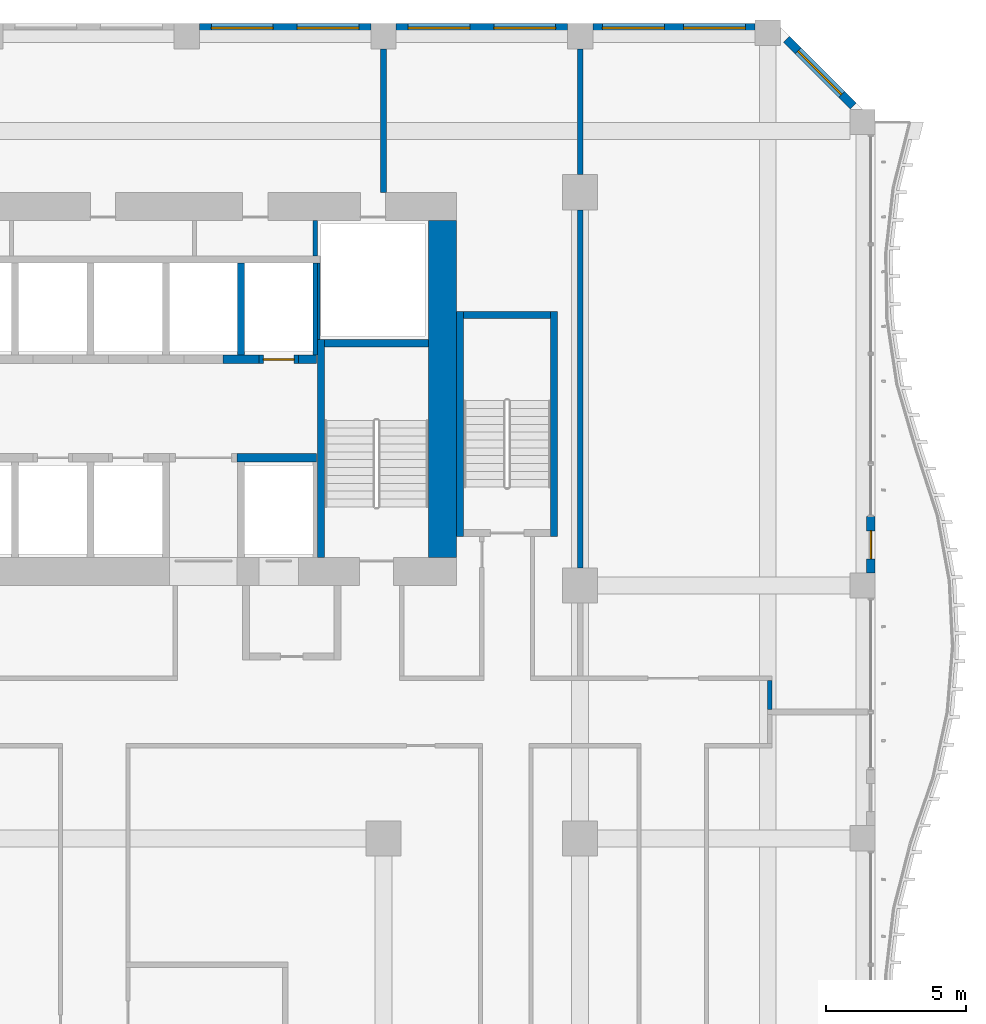
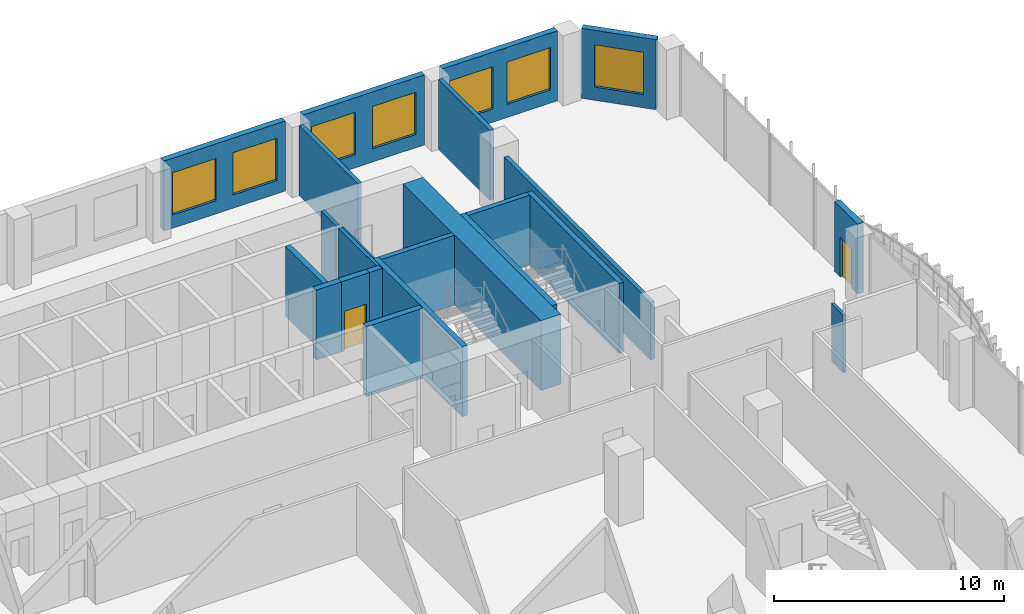
# One storey, part 18 of 28: 23 walls, 7 windows, 2 doors, 9 openings.
"""IFC4 building model written with IfcOpenShell, lengths in metres."""

import ifcopenshell
import ifcopenshell.guid

model = None  # the IFC model being written
_history = None  # IfcOwnerHistory: only IFC2X3 demands one
_inside = {}  # id of a spatial element -> (the spatial element, [elements in it])
_under = {}  # id of a project, library or spatial element -> (it, [spatial elements below it])
_declared = {}  # id of a project -> (the project, [libraries it declares])
_typed = {}  # id of a type object -> (the type object, [elements of that type])
_made_of = {}  # id of a material, layer set ... -> (it, [elements and type objects made of it])


def new_model(schema):
    """Start an empty IFC model of exactly this schema.

    Asked for "IFC4X3", IfcOpenShell would pick the latest addendum, in which some entities
    have other attributes; the version numbers below select the first issue.
    IFC2X3 requires an IfcOwnerHistory on every rooted entity: one is made here for all.
    """
    global model, _history
    if schema == "IFC4X3":
        model = ifcopenshell.file(schema_version=(4, 3, 0, 0))
    else:
        model = ifcopenshell.file(schema=schema)
    _inside.clear()
    _under.clear()
    _declared.clear()
    _typed.clear()
    _made_of.clear()
    _history = None
    if model.schema == "IFC2X3":
        org = make("IfcOrganization", Name="unknown")
        user = make(
            "IfcPersonAndOrganization",
            ThePerson=make("IfcPerson", FamilyName="unknown"),
            TheOrganization=org,
        )
        app = make(
            "IfcApplication",
            ApplicationDeveloper=org,
            Version="unknown",
            ApplicationFullName="unknown",
            ApplicationIdentifier="unknown",
        )
        _history = make(
            "IfcOwnerHistory",
            OwningUser=user,
            OwningApplication=app,
            ChangeAction="ADDED",
            CreationDate=0,
        )
    return model


def make(cls, **values):
    """One entity of the class cls with the attributes given. An attribute that is None is left unset."""
    return model.create_entity(
        cls, **{name: value for name, value in values.items() if value is not None}
    )


def rooted(cls, **values):
    """An entity with a GlobalId (a new one), such as an element, a storey or a relation."""
    return make(cls, GlobalId=ifcopenshell.guid.new(), OwnerHistory=_history, **values)


def si_unit(unit_type, name, prefix=None):
    """IfcSIUnit, for example si_unit("LENGTHUNIT", "METRE", prefix="MILLI")."""
    return make("IfcSIUnit", UnitType=unit_type, Prefix=prefix, Name=name)


def assignment(units):
    """IfcUnitAssignment: the units of a project."""
    return None if units is None else make("IfcUnitAssignment", Units=units)


def point(xyz):
    """IfcCartesianPoint."""
    return None if xyz is None else make("IfcCartesianPoint", Coordinates=xyz)


def direction(xyz):
    """IfcDirection."""
    return None if xyz is None else make("IfcDirection", DirectionRatios=xyz)


def frame(location, z_axis=None, x_axis=None):
    """IfcAxis2Placement3D, a coordinate frame: its origin and axes. An axis left out is left unset."""
    return make(
        "IfcAxis2Placement3D",
        Location=point(location),
        Axis=direction(z_axis),
        RefDirection=direction(x_axis),
    )


def frame_2d(location, x_axis=None):
    """IfcAxis2Placement2D, a coordinate frame in the plane: its origin and x axis."""
    return make(
        "IfcAxis2Placement2D", Location=point(location), RefDirection=direction(x_axis)
    )


def origin():
    """The frame at (0, 0, 0) with its axes left unset."""
    return frame((0.0, 0.0, 0.0))


def place(relative_to, where):
    """IfcLocalPlacement: puts the frame where relative to a parent placement (None: the world)."""
    return make(
        "IfcLocalPlacement", PlacementRelTo=relative_to, RelativePlacement=where
    )


def context(
    kind, dimensions, precision=None, world=None, true_north=None, identifier=None
):
    """IfcGeometricRepresentationContext, for example the 3D "Model" context."""
    return make(
        "IfcGeometricRepresentationContext",
        ContextIdentifier=identifier,
        ContextType=kind,
        CoordinateSpaceDimension=dimensions,
        Precision=precision,
        WorldCoordinateSystem=world,
        TrueNorth=true_north,
    )


def subcontext(parent, identifier, kind, view, scale=None):
    """IfcGeometricRepresentationSubContext, for example "Body" below "Model"."""
    return make(
        "IfcGeometricRepresentationSubContext",
        ContextIdentifier=identifier,
        ContextType=kind,
        ParentContext=parent,
        TargetScale=scale,
        TargetView=view,
    )


def project(units=None, contexts=None):
    """IfcProject with its units and contexts."""
    return rooted(
        "IfcProject",
        Name="project",
        RepresentationContexts=contexts,
        UnitsInContext=assignment(units),
    )


def spatial(cls, under=None, at=None, **own):
    """A site, building, storey or space (cls), placed at a placement, below another one or the project."""
    s = rooted(cls, ObjectPlacement=at, **own)
    if under is not None:
        _under.setdefault(under.id(), (under, []))[1].append(s)
    return s


def profile(cls, at=None, kind="AREA", **sizes):
    """A parametric profile (cls). Its sizes go by their IFC names, for example OverallWidth=200.0."""
    return make(cls, ProfileType=kind, Position=at, **sizes)


def rectangle(**sizes):
    """IfcRectangleProfileDef."""
    return profile("IfcRectangleProfileDef", **sizes)


def extrude(swept, where, along, depth):
    """IfcExtrudedAreaSolid: the profile swept, set in the frame where, extruded along a direction by depth."""
    return make(
        "IfcExtrudedAreaSolid",
        SweptArea=swept,
        Position=where,
        ExtrudedDirection=direction(along),
        Depth=depth,
    )


def shape(context_of_items, identifier, shape_type, items):
    """IfcShapeRepresentation: the items that make up one representation, for example the "Body"."""
    return make(
        "IfcShapeRepresentation",
        ContextOfItems=context_of_items,
        RepresentationIdentifier=identifier,
        RepresentationType=shape_type,
        Items=items,
    )


def source(mapping_origin, context_of_items, identifier, shape_type, items):
    """IfcRepresentationMap: a shape defined once, which mapped items show again and again."""
    return make(
        "IfcRepresentationMap",
        MappingOrigin=mapping_origin,
        MappedRepresentation=shape(context_of_items, identifier, shape_type, items),
    )


def transform(
    local_origin,
    x_axis=None,
    y_axis=None,
    z_axis=None,
    scale=None,
    scale2=None,
    scale3=None,
    uniform=True,
):
    """IfcCartesianTransformationOperator3D, or its non-uniform kind. x_axis, y_axis, z_axis: its Axis1, 2, 3."""
    if uniform:
        return make(
            "IfcCartesianTransformationOperator3D",
            Axis1=direction(x_axis),
            Axis2=direction(y_axis),
            LocalOrigin=point(local_origin),
            Scale=scale,
            Axis3=direction(z_axis),
        )
    return make(
        "IfcCartesianTransformationOperator3DnonUniform",
        Axis1=direction(x_axis),
        Axis2=direction(y_axis),
        LocalOrigin=point(local_origin),
        Scale=scale,
        Axis3=direction(z_axis),
        Scale2=scale2,
        Scale3=scale3,
    )


def mapped(mapping_source, mapping_target):
    """IfcMappedItem: shows the shape of a source again, moved by a transform."""
    return make(
        "IfcMappedItem", MappingSource=mapping_source, MappingTarget=mapping_target
    )


def material(Name=None, Category=None):
    """IfcMaterial."""
    return make("IfcMaterial", Name=Name, Category=Category)


def layer(
    of_material, thickness, ventilated=None, Name=None, Category=None, Priority=None
):
    """IfcMaterialLayer: one layer of a wall or slab, of a material (None: an air gap)."""
    return make(
        "IfcMaterialLayer",
        Material=of_material,
        LayerThickness=thickness,
        IsVentilated=ventilated,
        Name=Name,
        Category=Category,
        Priority=Priority,
    )


def layer_set(layers, Name=None):
    """IfcMaterialLayerSet."""
    return make("IfcMaterialLayerSet", MaterialLayers=layers, LayerSetName=Name)


def made_of(thing, what):
    """Note that an element or type object is made of a material, layer set ...; save() writes the relation."""
    if what is not None:
        _made_of.setdefault(what.id(), (what, []))[1].append(thing)
    return thing


def type_object(cls, material=None, **own):
    """A type object (cls), such as IfcWallType, which elements share."""
    return made_of(rooted(cls, **own), material)


def element(
    cls,
    number,
    at=None,
    inside=None,
    cuts=None,
    type_object=None,
    material=None,
    context=None,
    identifier="Body",
    shape_type=None,
    held_by="IfcProductDefinitionShape",
    body=None,
    shapes=None,
    **own,
):
    """One element of the class cls, such as IfcWall. Its Tag is "e" and its number.

    at: its placement. inside: the storey or other place that contains it. cuts: it is an
    opening in that element (IfcRelVoidsElement). A single representation is given by context,
    identifier, shape_type and body (its items); several are given by shapes. held_by: the class
    of the entity that holds the representations. save() writes the other relations.
    """
    e = rooted(cls, Tag="e%d" % number, ObjectPlacement=at, **own)
    if body is not None:
        shapes = [shape(context, identifier, shape_type, body)]
    if shapes is not None:
        e.Representation = make(held_by, Representations=shapes)
    if inside is not None:
        _inside.setdefault(inside.id(), (inside, []))[1].append(e)
    if cuts is not None:
        rooted(
            "IfcRelVoidsElement", RelatingBuildingElement=cuts, RelatedOpeningElement=e
        )
    if type_object is not None:
        _typed.setdefault(type_object.id(), (type_object, []))[1].append(e)
    return made_of(e, material)


def fill(opening, filler):
    """IfcRelFillsElement: the door or window that sits in an opening."""
    return rooted(
        "IfcRelFillsElement",
        RelatingOpeningElement=opening,
        RelatedBuildingElement=filler,
    )


def aggregate(whole, parts):
    """IfcRelAggregates: a whole, such as a stair, and the parts it consists of."""
    return rooted("IfcRelAggregates", RelatingObject=whole, RelatedObjects=parts)


def save(model, path):
    """Write the relations noted so far, then the file.

    IfcRelAggregates (storeys below a building ...), IfcRelContainedInSpatialStructure (elements
    in a storey), IfcRelDefinesByType, IfcRelAssociatesMaterial and IfcRelDeclares: one each for
    every whole, place, type object, material and project.
    """
    for whole, parts in _under.values():
        aggregate(whole, parts)
    for where, things in _inside.values():
        rooted(
            "IfcRelContainedInSpatialStructure",
            RelatedElements=things,
            RelatingStructure=where,
        )
    for kind, things in _typed.values():
        rooted("IfcRelDefinesByType", RelatedObjects=things, RelatingType=kind)
    for what, things in _made_of.values():
        rooted("IfcRelAssociatesMaterial", RelatedObjects=things, RelatingMaterial=what)
    for by, libraries in _declared.values():
        rooted("IfcRelDeclares", RelatingContext=by, RelatedDefinitions=libraries)
    model.write(path)


model = new_model("IFC4")

# Units and contexts
model_context = context("Model", 3, precision=1e-05, world=origin(), true_north=direction((0.0, 1.0)))
body_context = subcontext(model_context, "Body", "Model", "MODEL_VIEW")
ifc_project = project(units=[si_unit("LENGTHUNIT", "METRE"), si_unit("AREAUNIT", "SQUARE_METRE"), si_unit("VOLUMEUNIT", "CUBIC_METRE"), si_unit("PLANEANGLEUNIT", "RADIAN"), si_unit("MASSUNIT", "GRAM", prefix="KILO")], contexts=[model_context])

# Site, building, storey
site_placement = place(None, origin())
site = spatial("IfcSite", under=ifc_project, at=site_placement, CompositionType="ELEMENT")
building_placement = place(site_placement, origin())
building = spatial("IfcBuilding", under=site, at=building_placement, Name="Kilnfold Tower and Market Hall", CompositionType="ELEMENT")
storey_placement = place(building_placement, frame((0.0, 0.0, 75.199951171875)))
storey = spatial("IfcBuildingStorey", under=building, at=storey_placement, Name="L17", CompositionType="ELEMENT", Elevation=75.199951171875)

# Walls
ifc_material_1 = material(Name="Gypsum board on steel studs", Category="steel")
ifc_layer_1 = layer(ifc_material_1, 0.14990234375)
ifc_layer_set_1 = layer_set([ifc_layer_1], Name="Gypsum board on steel studs")
wall_type_1 = type_object("IfcWallType", Name="WALL CORRIDOR 150", PredefinedType="PARTITIONING", material=ifc_layer_set_1)
wall_1_placement = place(storey_placement, frame((29.25, 3.590087890625, 0.0), z_axis=(0.0, 0.0, 1.0), x_axis=(0.0, 1.0, 0.0)))
element("IfcWall", 1, at=wall_1_placement, inside=storey, type_object=wall_type_1, Name="Partition LY13.30", PredefinedType="PARTITIONING", context=body_context, shape_type="SweptSolid", body=[
    extrude(rectangle(XDim=1.034912109375, YDim=0.14990234375, at=frame_2d((0.517578125, 0.0))), origin(), (0.0, 0.0, 1.0), 3.070068359375),
])
ifc_material_2 = material(Name="Gypsum board on steel studs", Category="steel")
ifc_layer_2 = layer(ifc_material_2, 0.199951171875)
ifc_layer_set_2 = layer_set([ifc_layer_2], Name="Gypsum board on steel studs")
wall_type_2 = type_object("IfcWallType", Name="WALL PARTY 200", PredefinedType="PARTITIONING", material=ifc_layer_set_2)
wall_2_placement = place(storey_placement, frame((15.5, 22.0, 0.0), z_axis=(0.0, 0.0, 1.0), x_axis=(0.0, 1.0, 0.0)))
element("IfcWall", 2, at=wall_2_placement, inside=storey, type_object=wall_type_2, Name="Partition LY13.42", PredefinedType="PARTITIONING", context=body_context, shape_type="SweptSolid", body=[
    extrude(rectangle(XDim=5.10009765625, YDim=0.199951171875, at=frame_2d((2.550048828125, 0.0))), origin(), (0.0, 0.0, 1.0), 3.719970703125),
])
wall_3_placement = place(storey_placement, frame((22.5, 22.625, 0.0), z_axis=(0.0, 0.0, 1.0), x_axis=(0.0, 1.0, 0.0)))
element("IfcWall", 3, at=wall_3_placement, inside=storey, type_object=wall_type_2, Name="Partition LY13.57", PredefinedType="PARTITIONING", context=body_context, shape_type="SweptSolid", body=[
    extrude(rectangle(XDim=4.47509765625, YDim=0.199951171875, at=frame_2d((2.237548828125, 0.0))), origin(), (0.0, 0.0, 1.0), 3.719970703125),
])
wall_4_placement = place(storey_placement, frame((22.5, 8.625, 0.0), z_axis=(0.0, 0.0, 1.0), x_axis=(0.0, 1.0, 0.0)))
element("IfcWall", 4, at=wall_4_placement, inside=storey, type_object=wall_type_2, Name="Partition LY13.58", PredefinedType="PARTITIONING", context=body_context, shape_type="SweptSolid", body=[
    extrude(rectangle(XDim=12.75, YDim=0.199951171875, at=frame_2d((6.375, 0.0))), origin(), (0.0, 0.0, 1.0), 3.070068359375),
])
ifc_material_3 = material(Name="Concrete C80", Category="concrete")
ifc_layer_3 = layer(ifc_material_3, 1.0)
ifc_layer_set_3 = layer_set([ifc_layer_3], Name="Concrete C80")
wall_type_3 = type_object("IfcWallType", Name="CORE WALL 1000 C80", PredefinedType="SHEAR", material=ifc_layer_set_3)
shared_shape_1 = source(origin(), body_context, "Body", "SweptSolid", [
    extrude(rectangle(XDim=12.0, YDim=1.0, at=frame_2d((6.0, 0.0))), origin(), (0.0, 0.0, 1.0), 3.719970703125),
])
wall_5_placement = place(storey_placement, frame((17.60009765625, 9.0, 0.0), z_axis=(0.0, 0.0, 1.0), x_axis=(0.0, 1.0, 0.0)))
element("IfcWall", 5, at=wall_5_placement, inside=storey, type_object=wall_type_3, Name="Core outer wall east", PredefinedType="SHEAR", context=body_context, shape_type="MappedRepresentation", body=[
    mapped(shared_shape_1, transform((0.0, 0.0, 0.0))),
])
ifc_material_4 = material(Name="Concrete C80", Category="concrete")
ifc_layer_4 = layer(ifc_material_4, 0.25)
ifc_layer_set_4 = layer_set([ifc_layer_4], Name="Concrete C80")
wall_type_4 = type_object("IfcWallType", Name="CORE WALL 250 C80", PredefinedType="SHEAR", material=ifc_layer_set_4)
shared_shape_2 = source(origin(), body_context, "Body", "SweptSolid", [
    extrude(rectangle(XDim=7.75, YDim=0.25, at=frame_2d((3.875, 0.0))), origin(), (0.0, 0.0, 1.0), 3.719970703125),
])
wall_6_placement = place(storey_placement, frame((13.27490234375, 9.0, 0.0), z_axis=(0.0, 0.0, 1.0), x_axis=(0.0, 1.0, 0.0)))
element("IfcWall", 6, at=wall_6_placement, inside=storey, type_object=wall_type_4, Name="Stair enclosure ST2", PredefinedType="SHEAR", context=body_context, shape_type="MappedRepresentation", body=[
    mapped(shared_shape_2, transform((0.0, 0.0, 0.0))),
])
shared_shape_3 = source(origin(), body_context, "Body", "SweptSolid", [
    extrude(rectangle(XDim=3.7001953125, YDim=0.25, at=frame_2d((1.85009765625, 0.0))), origin(), (0.0, 0.0, 1.0), 3.719970703125),
])
wall_7_placement = place(storey_placement, frame((13.39990234375, 16.625, 0.0), z_axis=(0.0, 0.0, 1.0), x_axis=(1.0, 0.0, 0.0)))
element("IfcWall", 7, at=wall_7_placement, inside=storey, type_object=wall_type_4, Name="Stair enclosure ST2", PredefinedType="SHEAR", context=body_context, shape_type="MappedRepresentation", body=[
    mapped(shared_shape_3, transform((0.0, 0.0, 0.0))),
])
shared_shape_4 = source(origin(), body_context, "Body", "SweptSolid", [
    extrude(rectangle(XDim=8.0, YDim=0.25, at=frame_2d((4.0, 0.0))), origin(), (0.0, 0.0, 1.0), 3.719970703125),
])
for number, where, z_axis, x_axis, name in (
    (8, (18.22509765625, 9.75, 0.0), (0.0, 0.0, 1.0), (0.0, 1.0, 0.0), "Stair enclosure ST5"),
    (9, (21.574951171875, 9.75, 0.0), (0.0, 0.0, 1.0), (0.0, 1.0, 0.0), "Stair enclosure ST5"),
):
    element("IfcWall", number, at=place(storey_placement, frame(where, z_axis=z_axis, x_axis=x_axis)), inside=storey, type_object=wall_type_4, Name=name, PredefinedType="SHEAR", context=body_context, shape_type="MappedRepresentation", body=[
        mapped(shared_shape_4, transform((0.0, 0.0, 0.0))),
    ])
shared_shape_5 = source(origin(), body_context, "Body", "SweptSolid", [
    extrude(rectangle(XDim=3.099853515625, YDim=0.25, at=frame_2d((1.5498046875, 0.0))), origin(), (0.0, 0.0, 1.0), 3.719970703125),
])
wall_8_placement = place(storey_placement, frame((18.35009765625, 17.625, 0.0), z_axis=(0.0, 0.0, 1.0), x_axis=(1.0, 0.0, 0.0)))
element("IfcWall", 10, at=wall_8_placement, inside=storey, type_object=wall_type_4, Name="Stair enclosure ST5", PredefinedType="SHEAR", context=body_context, shape_type="MappedRepresentation", body=[
    mapped(shared_shape_5, transform((0.0, 0.0, 0.0))),
])
ifc_material_5 = material(Name="Concrete C80", Category="concrete")
ifc_layer_5 = layer(ifc_material_5, 0.300048828125)
ifc_layer_set_5 = layer_set([ifc_layer_5], Name="Concrete C80")
wall_type_5 = type_object("IfcWallType", Name="CORE WALL 300 C80", PredefinedType="SHEAR", material=ifc_layer_set_5)
shared_shape_6 = source(origin(), body_context, "Body", "SweptSolid", [
    extrude(rectangle(XDim=1.280029296875, YDim=0.300048828125, at=frame_2d((0.64013671875, 0.0))), origin(), (0.0, 0.0, 1.0), 3.719970703125),
])
wall_9_placement = place(storey_placement, frame((9.7900390625, 16.050048828125, 0.0), z_axis=(0.0, 0.0, 1.0), x_axis=(1.0, 0.0, 0.0)))
element("IfcWall", 11, at=wall_9_placement, inside=storey, type_object=wall_type_5, Name="Core spine wall", PredefinedType="SHEAR", context=body_context, shape_type="MappedRepresentation", body=[
    mapped(shared_shape_6, transform((0.0, 0.0, 0.0))),
])
shared_shape_7 = source(origin(), body_context, "Body", "SweptSolid", [
    extrude(rectangle(XDim=2.820068359375, YDim=0.300048828125, at=frame_2d((1.41015625, 0.0))), origin(), (0.0, 0.0, 1.0), 3.719970703125),
])
wall_10_placement = place(storey_placement, frame((10.2900390625, 12.550048828125, 0.0), z_axis=(0.0, 0.0, 1.0), x_axis=(1.0, 0.0, 0.0)))
element("IfcWall", 12, at=wall_10_placement, inside=storey, type_object=wall_type_5, Name="Core spine wall", PredefinedType="SHEAR", context=body_context, shape_type="MappedRepresentation", body=[
    mapped(shared_shape_7, transform((0.0, 0.0, 0.0))),
])
shared_shape_8 = source(origin(), body_context, "Body", "SweptSolid", [
    extrude(rectangle(XDim=0.64013671875, YDim=0.300048828125, at=frame_2d((0.320068359375, 0.0))), origin(), (0.0, 0.0, 1.0), 3.719970703125),
])
wall_11_placement = place(storey_placement, frame((12.469970703125, 16.050048828125, 0.0), z_axis=(0.0, 0.0, 1.0), x_axis=(1.0, 0.0, 0.0)))
element("IfcWall", 13, at=wall_11_placement, inside=storey, type_object=wall_type_5, Name="Core spine wall", PredefinedType="SHEAR", context=body_context, shape_type="MappedRepresentation", body=[
    mapped(shared_shape_8, transform((0.0, 0.0, 0.0))),
])

# Wall, opening, door
ifc_material_6 = material(Name="Precast concrete C50/60", Category="concrete")
ifc_layer_6 = layer(ifc_material_6, 0.300048828125)
ifc_layer_set_6 = layer_set([ifc_layer_6], Name="Precast concrete C50/60")
wall_type_6 = type_object("IfcWallType", Name="PRECAST WALL 300", PredefinedType="SOLIDWALL", material=ifc_layer_set_6)
shared_shape_9 = source(origin(), body_context, "Body", "SweptSolid", [
    extrude(rectangle(XDim=2.0, YDim=0.300048828125, at=frame_2d((1.0, 0.0))), origin(), (0.0, 0.0, 1.0), 3.719970703125),
])
wall_12_placement = place(storey_placement, frame((32.85009765625, 8.449951171875, 0.0), z_axis=(0.0, 0.0, 1.0), x_axis=(0.0, 1.0, 0.0)))
wall_12 = element("IfcWall", 14, at=wall_12_placement, inside=storey, type_object=wall_type_6, Name="External wall L17 E", PredefinedType="SOLIDWALL", context=body_context, shape_type="MappedRepresentation", body=[
    mapped(shared_shape_9, transform((0.0, 0.0, 0.0))),
])
opening_1_placement = place(wall_12_placement, frame((0.5, 0.0, 0.0)))
opening_1 = element("IfcOpeningElement", 15, at=opening_1_placement, cuts=wall_12, Name="Opening BD1", PredefinedType="OPENING", context=body_context, shape_type="SweptSolid", body=[
    extrude(rectangle(XDim=1.0, YDim=2.10009765625, at=frame_2d((0.5, 1.050048828125))), frame((0.0, 0.16015625, 0.0), z_axis=(0.0, -1.0, 0.0), x_axis=(1.0, 0.0, 0.0)), (0.0, 0.0, 1.0), 0.320068359375),
])
ifc_material_7 = material(Name="Aluminium frame and double glazing", Category="aluminium")
door_type_1 = type_object("IfcDoorType", Name="BALCONY DOOR 1000X2100", OperationType="NOTDEFINED", PredefinedType="DOOR", material=ifc_material_7)
door_1_placement = place(opening_1_placement, origin())
door_1 = element("IfcDoor", 16, at=door_1_placement, inside=storey, type_object=door_type_1, Name="Balcony door BD1 L17 E-1", OperationType="SINGLE_SWING_LEFT", OverallHeight=2.10009765625, OverallWidth=1.0, PredefinedType="DOOR", context=body_context, shape_type="SweptSolid", body=[
    extrude(rectangle(XDim=1.0, YDim=2.10009765625, at=frame_2d((0.5, 1.050048828125))), frame((0.0, 0.02490234375, 0.0), z_axis=(0.0, -1.0, 0.0), x_axis=(1.0, 0.0, 0.0)), (0.0, 0.0, 1.0), 0.050048828125),
])
fill(opening_1, door_1)

# Wall, opening, window
shared_shape_10 = source(origin(), body_context, "Body", "SweptSolid", [
    extrude(rectangle(XDim=3.35888671875, YDim=0.300048828125, at=frame_2d((1.679443359375, 0.0))), origin(), (0.0, 0.0, 1.0), 3.719970703125),
])
wall_13_placement = place(storey_placement, frame((32.218994140625, 25.06884765625, 0.0), z_axis=(0.0, 0.0, 1.0), x_axis=(-0.707070438228, 0.707143122278, 0.0)))
wall_13 = element("IfcWall", 17, at=wall_13_placement, inside=storey, type_object=wall_type_6, Name="External wall L17 NE", PredefinedType="SOLIDWALL", context=body_context, shape_type="MappedRepresentation", body=[
    mapped(shared_shape_10, transform((0.0, 0.0, 0.0))),
])
opening_2_placement = place(wall_13_placement, frame((0.579345703125, 0.0, 0.699951171875)))
opening_2 = element("IfcOpeningElement", 18, at=opening_2_placement, cuts=wall_13, Name="Opening W1", PredefinedType="OPENING", context=body_context, shape_type="SweptSolid", body=[
    extrude(rectangle(XDim=2.199951171875, YDim=2.25, at=frame_2d((1.10009765625, 1.125))), frame((0.0, 0.16015625, 0.0), z_axis=(0.0, -1.0, 0.0), x_axis=(1.0, 0.0, 0.0)), (0.0, 0.0, 1.0), 0.320068359375),
])
ifc_material_8 = material(Name="Aluminium frame and double glazing", Category="aluminium")
window_type = type_object("IfcWindowType", Name="WINDOW W1 2200X2250", PartitioningType="SINGLE_PANEL", PredefinedType="WINDOW", material=ifc_material_8)
window_1_placement = place(opening_2_placement, origin())
window_1 = element("IfcWindow", 19, at=window_1_placement, inside=storey, type_object=window_type, Name="Window W1 L17 NE-1", OverallHeight=2.25, OverallWidth=2.199951171875, PartitioningType="SINGLE_PANEL", PredefinedType="WINDOW", context=body_context, shape_type="SweptSolid", body=[
    extrude(rectangle(XDim=2.199951171875, YDim=2.25, at=frame_2d((1.10009765625, 1.125))), frame((0.0, 0.030029296875, 0.0), z_axis=(0.0, -1.0, 0.0), x_axis=(1.0, 0.0, 0.0)), (0.0, 0.0, 1.0), 0.06005859375),
])
fill(opening_2, window_1)

# Wall, openings, windows
shared_shape_11 = source(origin(), body_context, "Body", "SweptSolid", [
    extrude(rectangle(XDim=5.78173828125, YDim=0.300048828125, at=frame_2d((2.890869140625, 0.0))), origin(), (0.0, 0.0, 1.0), 3.719970703125),
])
wall_14_placement = place(storey_placement, frame((28.731689453125, 27.85009765625, 0.0), z_axis=(0.0, 0.0, 1.0), x_axis=(-1.0, 0.0, 0.0)))
wall_14 = element("IfcWall", 20, at=wall_14_placement, inside=storey, type_object=wall_type_6, Name="External wall L17 N", PredefinedType="SOLIDWALL", context=body_context, shape_type="MappedRepresentation", body=[
    mapped(shared_shape_11, transform((0.0, 0.0, 0.0))),
])
opening_3_placement = place(wall_14_placement, frame((0.345458984375, 0.0, 0.699951171875)))
opening_3 = element("IfcOpeningElement", 21, at=opening_3_placement, cuts=wall_14, Name="Opening W1", PredefinedType="OPENING", context=body_context, shape_type="SweptSolid", body=[
    extrude(rectangle(XDim=2.199951171875, YDim=2.25, at=frame_2d((1.10009765625, 1.125))), frame((0.0, 0.16015625, 0.0), z_axis=(0.0, -1.0, 0.0), x_axis=(1.0, 0.0, 0.0)), (0.0, 0.0, 1.0), 0.320068359375),
])
opening_4_placement = place(wall_14_placement, frame((3.236328125, 0.0, 0.699951171875)))
opening_4 = element("IfcOpeningElement", 22, at=opening_4_placement, cuts=wall_14, Name="Opening W1", PredefinedType="OPENING", context=body_context, shape_type="SweptSolid", body=[
    extrude(rectangle(XDim=2.199951171875, YDim=2.25, at=frame_2d((1.10009765625, 1.125))), frame((0.0, 0.16015625, 0.0), z_axis=(0.0, -1.0, 0.0), x_axis=(1.0, 0.0, 0.0)), (0.0, 0.0, 1.0), 0.320068359375),
])
window_2_placement = place(opening_3_placement, origin())
window_2 = element("IfcWindow", 23, at=window_2_placement, inside=storey, type_object=window_type, Name="Window W1 L17 N-1", OverallHeight=2.25, OverallWidth=2.199951171875, PartitioningType="SINGLE_PANEL", PredefinedType="WINDOW", context=body_context, shape_type="SweptSolid", body=[
    extrude(rectangle(XDim=2.199951171875, YDim=2.25, at=frame_2d((1.10009765625, 1.125))), frame((0.0, 0.030029296875, 0.0), z_axis=(0.0, -1.0, 0.0), x_axis=(1.0, 0.0, 0.0)), (0.0, 0.0, 1.0), 0.06005859375),
])
fill(opening_3, window_2)
window_3_placement = place(opening_4_placement, origin())
window_3 = element("IfcWindow", 24, at=window_3_placement, inside=storey, type_object=window_type, Name="Window W1 L17 N-2", OverallHeight=2.25, OverallWidth=2.199951171875, PartitioningType="SINGLE_PANEL", PredefinedType="WINDOW", context=body_context, shape_type="SweptSolid", body=[
    extrude(rectangle(XDim=2.199951171875, YDim=2.25, at=frame_2d((1.10009765625, 1.125))), frame((0.0, 0.030029296875, 0.0), z_axis=(0.0, -1.0, 0.0), x_axis=(1.0, 0.0, 0.0)), (0.0, 0.0, 1.0), 0.06005859375),
])
fill(opening_4, window_3)

shared_shape_12 = source(origin(), body_context, "Body", "SweptSolid", [
    extrude(rectangle(XDim=6.10009765625, YDim=0.300048828125, at=frame_2d((3.050048828125, 0.0))), origin(), (0.0, 0.0, 1.0), 3.719970703125),
])
wall_15_placement = place(storey_placement, frame((22.050048828125, 27.85009765625, 0.0), z_axis=(0.0, 0.0, 1.0), x_axis=(-1.0, 0.0, 0.0)))
wall_15 = element("IfcWall", 25, at=wall_15_placement, inside=storey, type_object=wall_type_6, Name="External wall L17 N", PredefinedType="SOLIDWALL", context=body_context, shape_type="MappedRepresentation", body=[
    mapped(shared_shape_12, transform((0.0, 0.0, 0.0))),
])
opening_5_placement = place(wall_15_placement, frame((0.425048828125, 0.0, 0.699951171875)))
opening_5 = element("IfcOpeningElement", 26, at=opening_5_placement, cuts=wall_15, Name="Opening W1", PredefinedType="OPENING", context=body_context, shape_type="SweptSolid", body=[
    extrude(rectangle(XDim=2.199951171875, YDim=2.25, at=frame_2d((1.10009765625, 1.125))), frame((0.0, 0.16015625, 0.0), z_axis=(0.0, -1.0, 0.0), x_axis=(1.0, 0.0, 0.0)), (0.0, 0.0, 1.0), 0.320068359375),
])
opening_6_placement = place(wall_15_placement, frame((3.47509765625, 0.0, 0.699951171875)))
opening_6 = element("IfcOpeningElement", 27, at=opening_6_placement, cuts=wall_15, Name="Opening W1", PredefinedType="OPENING", context=body_context, shape_type="SweptSolid", body=[
    extrude(rectangle(XDim=2.199951171875, YDim=2.25, at=frame_2d((1.10009765625, 1.125))), frame((0.0, 0.16015625, 0.0), z_axis=(0.0, -1.0, 0.0), x_axis=(1.0, 0.0, 0.0)), (0.0, 0.0, 1.0), 0.320068359375),
])
window_4_placement = place(opening_5_placement, origin())
window_4 = element("IfcWindow", 28, at=window_4_placement, inside=storey, type_object=window_type, Name="Window W1 L17 N-1", OverallHeight=2.25, OverallWidth=2.199951171875, PartitioningType="SINGLE_PANEL", PredefinedType="WINDOW", context=body_context, shape_type="SweptSolid", body=[
    extrude(rectangle(XDim=2.199951171875, YDim=2.25, at=frame_2d((1.10009765625, 1.125))), frame((0.0, 0.030029296875, 0.0), z_axis=(0.0, -1.0, 0.0), x_axis=(1.0, 0.0, 0.0)), (0.0, 0.0, 1.0), 0.06005859375),
])
fill(opening_5, window_4)
window_5_placement = place(opening_6_placement, origin())
window_5 = element("IfcWindow", 29, at=window_5_placement, inside=storey, type_object=window_type, Name="Window W1 L17 N-2", OverallHeight=2.25, OverallWidth=2.199951171875, PartitioningType="SINGLE_PANEL", PredefinedType="WINDOW", context=body_context, shape_type="SweptSolid", body=[
    extrude(rectangle(XDim=2.199951171875, YDim=2.25, at=frame_2d((1.10009765625, 1.125))), frame((0.0, 0.030029296875, 0.0), z_axis=(0.0, -1.0, 0.0), x_axis=(1.0, 0.0, 0.0)), (0.0, 0.0, 1.0), 0.06005859375),
])
fill(opening_6, window_5)

wall_16_placement = place(storey_placement, frame((15.050048828125, 27.85009765625, 0.0), z_axis=(0.0, 0.0, 1.0), x_axis=(-1.0, 0.0, 0.0)))
wall_16 = element("IfcWall", 30, at=wall_16_placement, inside=storey, type_object=wall_type_6, Name="External wall L17 N", PredefinedType="SOLIDWALL", context=body_context, shape_type="MappedRepresentation", body=[
    mapped(shared_shape_12, transform((0.0, 0.0, 0.0))),
])
opening_7_placement = place(wall_16_placement, frame((0.425048828125, 0.0, 0.699951171875)))
opening_7 = element("IfcOpeningElement", 31, at=opening_7_placement, cuts=wall_16, Name="Opening W1", PredefinedType="OPENING", context=body_context, shape_type="SweptSolid", body=[
    extrude(rectangle(XDim=2.199951171875, YDim=2.25, at=frame_2d((1.10009765625, 1.125))), frame((0.0, 0.16015625, 0.0), z_axis=(0.0, -1.0, 0.0), x_axis=(1.0, 0.0, 0.0)), (0.0, 0.0, 1.0), 0.320068359375),
])
opening_8_placement = place(wall_16_placement, frame((3.47509765625, 0.0, 0.699951171875)))
opening_8 = element("IfcOpeningElement", 32, at=opening_8_placement, cuts=wall_16, Name="Opening W1", PredefinedType="OPENING", context=body_context, shape_type="SweptSolid", body=[
    extrude(rectangle(XDim=2.199951171875, YDim=2.25, at=frame_2d((1.10009765625, 1.125))), frame((0.0, 0.16015625, 0.0), z_axis=(0.0, -1.0, 0.0), x_axis=(1.0, 0.0, 0.0)), (0.0, 0.0, 1.0), 0.320068359375),
])
window_6_placement = place(opening_7_placement, origin())
window_6 = element("IfcWindow", 33, at=window_6_placement, inside=storey, type_object=window_type, Name="Window W1 L17 N-1", OverallHeight=2.25, OverallWidth=2.199951171875, PartitioningType="SINGLE_PANEL", PredefinedType="WINDOW", context=body_context, shape_type="SweptSolid", body=[
    extrude(rectangle(XDim=2.199951171875, YDim=2.25, at=frame_2d((1.10009765625, 1.125))), frame((0.0, 0.030029296875, 0.0), z_axis=(0.0, -1.0, 0.0), x_axis=(1.0, 0.0, 0.0)), (0.0, 0.0, 1.0), 0.06005859375),
])
fill(opening_7, window_6)
window_7_placement = place(opening_8_placement, origin())
window_7 = element("IfcWindow", 34, at=window_7_placement, inside=storey, type_object=window_type, Name="Window W1 L17 N-2", OverallHeight=2.25, OverallWidth=2.199951171875, PartitioningType="SINGLE_PANEL", PredefinedType="WINDOW", context=body_context, shape_type="SweptSolid", body=[
    extrude(rectangle(XDim=2.199951171875, YDim=2.25, at=frame_2d((1.10009765625, 1.125))), frame((0.0, 0.030029296875, 0.0), z_axis=(0.0, -1.0, 0.0), x_axis=(1.0, 0.0, 0.0)), (0.0, 0.0, 1.0), 0.06005859375),
])
fill(opening_8, window_7)

# Wall, opening, door
ifc_material_9 = material(Name="Gypsum shaft wall system")
ifc_layer_7 = layer(ifc_material_9, 0.300048828125)
ifc_layer_set_7 = layer_set([ifc_layer_7], Name="Gypsum shaft wall system")
wall_type_7 = type_object("IfcWallType", Name="SHAFT WALL 300", PredefinedType="PARTITIONING", material=ifc_layer_set_7)
shared_shape_13 = source(origin(), body_context, "Body", "SweptSolid", [
    extrude(rectangle(XDim=1.39990234375, YDim=0.300048828125, at=frame_2d((0.699951171875, 0.0))), origin(), (0.0, 0.0, 1.0), 3.719970703125),
])
wall_17_placement = place(storey_placement, frame((11.070068359375, 16.050048828125, 0.0), z_axis=(0.0, 0.0, 1.0), x_axis=(1.0, 0.0, 0.0)))
wall_17 = element("IfcWall", 35, at=wall_17_placement, inside=storey, type_object=wall_type_7, Name="Lift shaft front wall", PredefinedType="PARTITIONING", context=body_context, shape_type="MappedRepresentation", body=[
    mapped(shared_shape_13, transform((0.0, 0.0, 0.0))),
])
opening_9_placement = place(wall_17_placement, frame((0.14990234375, 0.0, 0.0)))
opening_9 = element("IfcOpeningElement", 36, at=opening_9_placement, cuts=wall_17, Name="Opening LD2", PredefinedType="OPENING", context=body_context, shape_type="SweptSolid", body=[
    extrude(rectangle(XDim=1.10009765625, YDim=2.10009765625, at=frame_2d((0.550048828125, 1.050048828125))), frame((0.0, 0.16015625, 0.0), z_axis=(0.0, -1.0, 0.0), x_axis=(1.0, 0.0, 0.0)), (0.0, 0.0, 1.0), 0.320068359375),
])
ifc_material_10 = material(Name="Steel door set with fire-resisting leaf", Category="steel")
door_type_2 = type_object("IfcDoorType", Name="LANDING DOOR 1100X2100", OperationType="NOTDEFINED", PredefinedType="DOOR", material=ifc_material_10)
door_2_placement = place(opening_9_placement, origin())
door_2 = element("IfcDoor", 37, at=door_2_placement, inside=storey, type_object=door_type_2, Name="Landing door LR6", OperationType="DOUBLE_DOOR_SLIDING", OverallHeight=2.10009765625, OverallWidth=1.10009765625, PredefinedType="DOOR", context=body_context, shape_type="SweptSolid", body=[
    extrude(rectangle(XDim=1.10009765625, YDim=2.10009765625, at=frame_2d((0.550048828125, 1.050048828125))), frame((0.0, 0.02490234375, 0.0), z_axis=(0.0, -1.0, 0.0), x_axis=(1.0, 0.0, 0.0)), (0.0, 0.0, 1.0), 0.050048828125),
])
fill(opening_9, door_2)

# Walls
ifc_material_11 = material(Name="Gypsum shaft wall system")
ifc_layer_8 = layer(ifc_material_11, 0.1650390625)
ifc_layer_set_8 = layer_set([ifc_layer_8], Name="Gypsum shaft wall system")
wall_type_8 = type_object("IfcWallType", Name="SHAFT WALL 165", PredefinedType="PARTITIONING", material=ifc_layer_set_8)
shared_shape_14 = source(origin(), body_context, "Body", "SweptSolid", [
    extrude(rectangle(XDim=3.275146484375, YDim=0.1650390625, at=frame_2d((1.6376953125, 0.0))), origin(), (0.0, 0.0, 1.0), 3.719970703125),
])
wall_18_placement = place(storey_placement, frame((13.0673828125, 16.199951171875, 0.0), z_axis=(0.0, 0.0, 1.0), x_axis=(0.0, 1.0, 0.0)))
element("IfcWall", 38, at=wall_18_placement, inside=storey, type_object=wall_type_8, Name="Lift shaft wall", PredefinedType="PARTITIONING", context=body_context, shape_type="MappedRepresentation", body=[
    mapped(shared_shape_14, transform((0.0, 0.0, 0.0))),
])
shared_shape_15 = source(origin(), body_context, "Body", "SweptSolid", [
    extrude(rectangle(XDim=1.27490234375, YDim=0.1650390625, at=frame_2d((0.637451171875, 0.0))), origin(), (0.0, 0.0, 1.0), 3.719970703125),
])
wall_19_placement = place(storey_placement, frame((13.0673828125, 19.72509765625, 0.0), z_axis=(0.0, 0.0, 1.0), x_axis=(0.0, 1.0, 0.0)))
element("IfcWall", 39, at=wall_19_placement, inside=storey, type_object=wall_type_8, Name="Lift shaft wall", PredefinedType="PARTITIONING", context=body_context, shape_type="MappedRepresentation", body=[
    mapped(shared_shape_15, transform((0.0, 0.0, 0.0))),
])
ifc_material_12 = material(Name="Gypsum shaft wall system")
ifc_layer_9 = layer(ifc_material_12, 0.25)
ifc_layer_set_9 = layer_set([ifc_layer_9], Name="Gypsum shaft wall system")
wall_type_9 = type_object("IfcWallType", Name="SHAFT WALL 250", PredefinedType="PARTITIONING", material=ifc_layer_set_9)
shared_shape_16 = source(origin(), body_context, "Body", "SweptSolid", [
    extrude(rectangle(XDim=3.275146484375, YDim=0.25, at=frame_2d((1.6376953125, 0.0))), origin(), (0.0, 0.0, 1.0), 3.719970703125),
])
wall_20_placement = place(storey_placement, frame((10.429931640625, 16.199951171875, 0.0), z_axis=(0.0, 0.0, 1.0), x_axis=(0.0, 1.0, 0.0)))
element("IfcWall", 40, at=wall_20_placement, inside=storey, type_object=wall_type_9, Name="Lift shaft wall", PredefinedType="PARTITIONING", context=body_context, shape_type="MappedRepresentation", body=[
    mapped(shared_shape_16, transform((0.0, 0.0, 0.0))),
])
ifc_material_13 = material(Name="Gypsum shaft wall system")
ifc_layer_10 = layer(ifc_material_13, 0.0849609375)
ifc_layer_set_10 = layer_set([ifc_layer_10], Name="Gypsum shaft wall system")
wall_type_10 = type_object("IfcWallType", Name="SHAFT WALL 85", PredefinedType="PARTITIONING", material=ifc_layer_set_10)
shared_shape_17 = source(origin(), body_context, "Body", "SweptSolid", [
    extrude(rectangle(XDim=2.72509765625, YDim=0.0849609375, at=frame_2d((1.362548828125, 0.0))), origin(), (0.0, 0.0, 1.0), 3.719970703125),
])
wall_21_placement = place(storey_placement, frame((13.1923828125, 16.75, 0.0), z_axis=(0.0, 0.0, 1.0), x_axis=(0.0, 1.0, 0.0)))
element("IfcWall", 41, at=wall_21_placement, inside=storey, type_object=wall_type_10, Name="Lift shaft wall", PredefinedType="PARTITIONING", context=body_context, shape_type="MappedRepresentation", body=[
    mapped(shared_shape_17, transform((0.0, 0.0, 0.0))),
])

save(model, "model.ifc")
